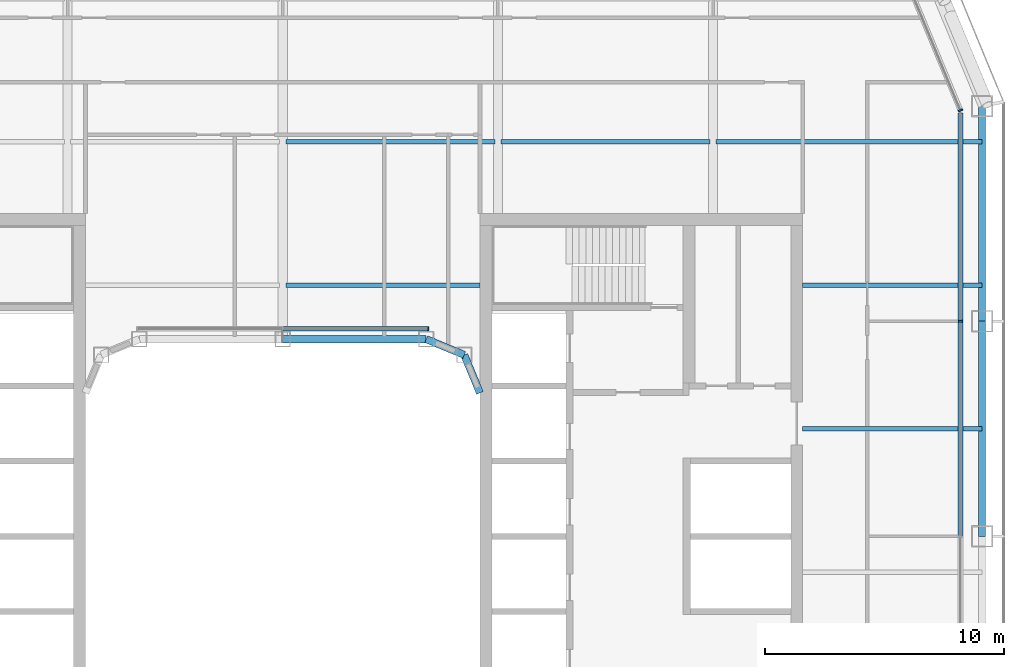
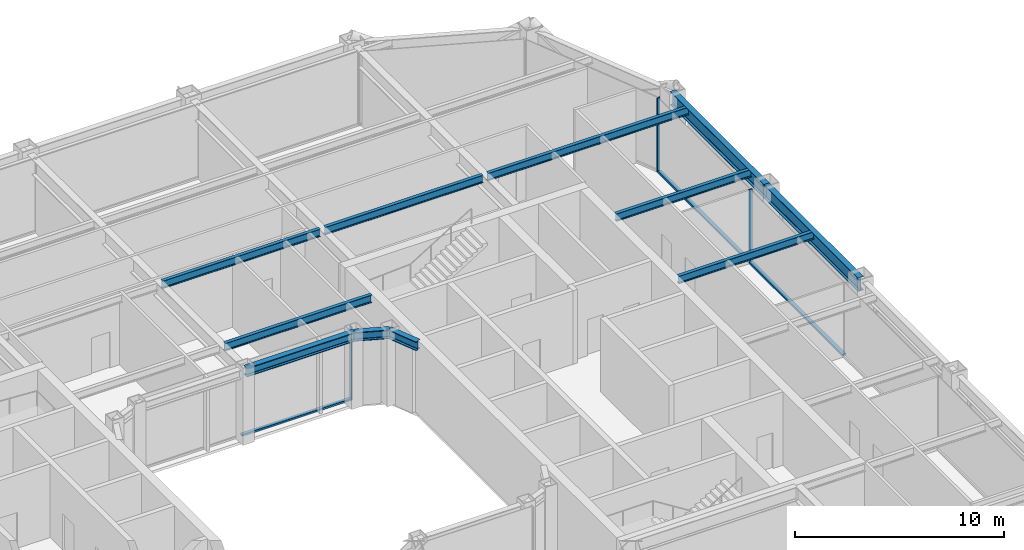
# One storey, part 8 of 21: 11 beams, 6 members, 3 elements without a shape of their own.
"""IFC4 building model written with IfcOpenShell, lengths in metres."""

from ifc_helpers import new_model, si_unit, direction, frame, origin, origin_2d, place, context, subcontext, project, spatial, rectangle, i_section, extrude, material, layer, layer_set, material_profile, profile_set, type_object, element, aggregate, save


model = new_model("IFC4")

# Units and contexts
model_context = context("Model", 3, precision=1e-05, world=origin(), true_north=direction((0.0, 1.0)))
body_context = subcontext(model_context, "Body", "Model", "MODEL_VIEW")
ifc_project = project(units=[si_unit("LENGTHUNIT", "METRE"), si_unit("AREAUNIT", "SQUARE_METRE"), si_unit("VOLUMEUNIT", "CUBIC_METRE"), si_unit("PLANEANGLEUNIT", "RADIAN"), si_unit("MASSUNIT", "GRAM", prefix="KILO")], contexts=[model_context])

# Site, building, storey
site_placement = place(None, origin())
site = spatial("IfcSite", under=ifc_project, at=site_placement, CompositionType="ELEMENT")
building_placement = place(site_placement, origin())
building = spatial("IfcBuilding", under=site, at=building_placement, Name="Siwar Civic Tower", CompositionType="ELEMENT")
storey_placement = place(building_placement, frame((0.0, 0.0, 176.699951171875)))
storey = spatial("IfcBuildingStorey", under=building, at=storey_placement, Name="L38", CompositionType="ELEMENT", Elevation=176.699951171875)

# Curtain wall, member
ifc_material_1 = material(Name="Aluminium and glass", Category="aluminium")
ifc_layer_1 = layer(ifc_material_1, 0.199951171875)
ifc_layer_set_1 = layer_set([ifc_layer_1], Name="Aluminium and glass")
curtain_wall_type_1 = type_object("IfcCurtainWallType", Name="ENV-CW-B", PredefinedType="NOTDEFINED", material=ifc_layer_set_1)
curtain_wall_1_placement = place(storey_placement, origin())
curtain_wall_1 = element("IfcCurtainWall", 1, at=curtain_wall_1_placement, inside=storey, type_object=curtain_wall_type_1, Name="Curtain wall B E", PredefinedType="NOTDEFINED")
ifc_material_2 = material(Name="Aluminium 6063-T6", Category="aluminium")
ifc_material_profile_1 = material_profile(ifc_material_2, rectangle(XDim=0.199951171875, YDim=0.06494140625, at=origin_2d()), Name="AL 200x65")
ifc_profile_set_1 = profile_set([ifc_material_profile_1], Name="Aluminium 6063-T6")
member_type_1 = type_object("IfcMemberType", Name="ENV-MULLION-B", PredefinedType="MULLION", material=ifc_profile_set_1)
member_1_placement = place(storey_placement, frame((28.35009765625, 9.0, 0.0), z_axis=(0.0, 0.0, 1.0), x_axis=(-1.0, 0.0, 0.0)))
member_1 = element("IfcMember", 2, at=member_1_placement, type_object=member_type_1, Name="Mullion B E 4", PredefinedType="MULLION", context=body_context, shape_type="SweptSolid", body=[
    extrude(rectangle(XDim=0.199951171875, YDim=0.06494140625, at=origin_2d()), origin(), (0.0, 0.0, 1.0), 4.300048828125),
])

ifc_material_3 = material(Name="Aluminium clad insulated panel", Category="aluminium")
ifc_layer_2 = layer(ifc_material_3, 0.199951171875)
ifc_layer_set_2 = layer_set([ifc_layer_2], Name="Aluminium clad insulated panel")
curtain_wall_type_2 = type_object("IfcCurtainWallType", Name="ENV-CW-BX", PredefinedType="NOTDEFINED", material=ifc_layer_set_2)
curtain_wall_2_placement = place(storey_placement, origin())
curtain_wall_2 = element("IfcCurtainWall", 3, at=curtain_wall_2_placement, inside=storey, type_object=curtain_wall_type_2, Name="Curtain wall B NE1", PredefinedType="NOTDEFINED")
member_2_placement = place(storey_placement, frame((28.35009765625, 17.821044921875, 0.0), z_axis=(0.0, 0.0, 1.0), x_axis=(-0.923879532511, -0.382683432365, 0.0)))
member_2 = element("IfcMember", 4, at=member_2_placement, type_object=member_type_1, Name="Mullion B NE1 1", PredefinedType="MULLION", context=body_context, shape_type="SweptSolid", body=[
    extrude(rectangle(XDim=0.199951171875, YDim=0.06494140625, at=origin_2d()), origin(), (0.0, 0.0, 1.0), 4.300048828125),
])
aggregate(curtain_wall_2, [member_2])

ifc_material_4 = material(Name="Aluminium and glass", Category="aluminium")
ifc_layer_3 = layer(ifc_material_4, 0.179931640625)
ifc_layer_set_3 = layer_set([ifc_layer_3], Name="Aluminium and glass")
curtain_wall_type_3 = type_object("IfcCurtainWallType", Name="ENV-CW-W", PredefinedType="NOTDEFINED", material=ifc_layer_set_3)
curtain_wall_3_placement = place(storey_placement, origin())
curtain_wall_3 = element("IfcCurtainWall", 5, at=curtain_wall_3_placement, inside=storey, type_object=curtain_wall_type_3, Name="Curtain wall W WN", PredefinedType="NOTDEFINED")
ifc_material_5 = material(Name="Aluminium 6063-T6", Category="aluminium")
ifc_material_profile_2 = material_profile(ifc_material_5, rectangle(XDim=0.179931640625, YDim=0.06005859375, at=origin_2d()), Name="AL 180x60")
ifc_profile_set_2 = profile_set([ifc_material_profile_2], Name="Aluminium 6063-T6")
member_type_2 = type_object("IfcMemberType", Name="ENV-MULLION-W", PredefinedType="MULLION", material=ifc_profile_set_2)
member_3_placement = place(storey_placement, frame((6.08642578125, 8.68505859375, 0.0), z_axis=(0.0, 0.0, 1.0), x_axis=(0.0, -1.0, 0.0)))
member_3 = element("IfcMember", 6, at=member_3_placement, type_object=member_type_2, Name="Mullion W WN 1", PredefinedType="MULLION", context=body_context, shape_type="SweptSolid", body=[
    extrude(rectangle(XDim=0.179931640625, YDim=0.06005859375, at=origin_2d()), origin(), (0.0, 0.0, 1.0), 4.300048828125),
])

# Member
ifc_material_6 = material(Name="Aluminium 6063-T6", Category="aluminium")
ifc_material_profile_3 = material_profile(ifc_material_6, rectangle(XDim=0.199951171875, YDim=0.110107421875, at=origin_2d()), Name="AL 200x110")
ifc_profile_set_3 = profile_set([ifc_material_profile_3], Name="Aluminium 6063-T6")
member_type_3 = type_object("IfcMemberType", Name="ENV-TRANSOM-B", PredefinedType="USERDEFINED", material=ifc_profile_set_3)
member_4_placement = place(storey_placement, frame((28.35009765625, 0.032470703125, 0.054931640625), z_axis=(0.0, 1.0, 0.0), x_axis=(-1.0, 0.0, 0.0)))
member_4 = element("IfcMember", 7, at=member_4_placement, type_object=member_type_3, Name="Transom B E 3", ObjectType="TRANSOM", PredefinedType="USERDEFINED", context=body_context, shape_type="SweptSolid", body=[
    extrude(rectangle(XDim=0.199951171875, YDim=0.110107421875, at=origin_2d()), origin(), (0.0, 0.0, 1.0), 8.93505859375),
])

member_5_placement = place(storey_placement, frame((28.35009765625, 9.032470703125, 0.054931640625), z_axis=(0.0, 1.0, 0.0), x_axis=(-1.0, 0.0, 0.0)))
member_5 = element("IfcMember", 8, at=member_5_placement, type_object=member_type_3, Name="Transom B E 4", ObjectType="TRANSOM", PredefinedType="USERDEFINED", context=body_context, shape_type="SweptSolid", body=[
    extrude(rectangle(XDim=0.199951171875, YDim=0.110107421875, at=origin_2d()), origin(), (0.0, 0.0, 1.0), 8.6748046875),
])

aggregate(curtain_wall_1, [member_1, member_4, member_5])

ifc_material_7 = material(Name="Aluminium 6063-T6", Category="aluminium")
ifc_material_profile_4 = material_profile(ifc_material_7, rectangle(XDim=0.179931640625, YDim=0.10009765625, at=origin_2d()), Name="AL 180x100")
ifc_profile_set_4 = profile_set([ifc_material_profile_4], Name="Aluminium 6063-T6")
member_type_4 = type_object("IfcMemberType", Name="ENV-TRANSOM-W", PredefinedType="USERDEFINED", material=ifc_profile_set_4)
member_6_placement = place(storey_placement, frame((6.056640625, 8.68505859375, 0.050048828125), z_axis=(-1.0, 0.0, 0.0), x_axis=(0.0, -1.0, 0.0)))
member_6 = element("IfcMember", 9, at=member_6_placement, type_object=member_type_4, Name="Transom W WN 1", ObjectType="TRANSOM", PredefinedType="USERDEFINED", context=body_context, shape_type="SweptSolid", body=[
    extrude(rectangle(XDim=0.179931640625, YDim=0.10009765625, at=origin_2d()), origin(), (0.0, 0.0, 1.0), 6.026611328125),
])

aggregate(curtain_wall_3, [member_3, member_6])

# Beams
ifc_material_8 = material(Name="Steel S355", Category="steel")
ifc_material_profile_5 = material_profile(ifc_material_8, i_section(OverallWidth=0.18994140625, OverallDepth=0.449951171875, WebThickness=0.009521484375, FlangeThickness=0.0146484375, FilletRadius=0.02099609375, at=origin_2d()), Name="IPE450")
ifc_profile_set_5 = profile_set([ifc_material_profile_5], Name="Steel S355")
beam_type_1 = type_object("IfcBeamType", Name="STR-FB-IPE450", PredefinedType="JOIST", material=ifc_profile_set_5)
beam_1_placement = place(storey_placement, frame((21.75, 4.5, 4.074951171875), z_axis=(1.0, 0.0, 0.0), x_axis=(0.0, 1.0, 0.0)))
element("IfcBeam", 10, at=beam_1_placement, inside=storey, type_object=beam_type_1, Name="L38/bm/F026", PredefinedType="JOIST", context=body_context, shape_type="SweptSolid", body=[
    extrude(i_section(OverallWidth=0.18994140625, OverallDepth=0.449951171875, WebThickness=0.009521484375, FlangeThickness=0.0146484375, FilletRadius=0.02099609375, at=origin_2d()), origin(), (0.0, 0.0, 1.0), 7.5),
])
beam_2_placement = place(storey_placement, frame((0.1298828125, 10.5, 4.074951171875), z_axis=(1.0, 0.0, 0.0), x_axis=(0.0, 1.0, 0.0)))
element("IfcBeam", 11, at=beam_2_placement, inside=storey, type_object=beam_type_1, Name="L38/bm/F029", PredefinedType="JOIST", context=body_context, shape_type="SweptSolid", body=[
    extrude(i_section(OverallWidth=0.18994140625, OverallDepth=0.449951171875, WebThickness=0.009521484375, FlangeThickness=0.0146484375, FilletRadius=0.02099609375, at=origin_2d()), origin(), (0.0, 0.0, 1.0), 8.1201171875),
])
beam_3_placement = place(storey_placement, frame((21.75, 10.5, 4.074951171875), z_axis=(1.0, 0.0, 0.0), x_axis=(0.0, 1.0, 0.0)))
element("IfcBeam", 12, at=beam_3_placement, inside=storey, type_object=beam_type_1, Name="L38/bm/F030", PredefinedType="JOIST", context=body_context, shape_type="SweptSolid", body=[
    extrude(i_section(OverallWidth=0.18994140625, OverallDepth=0.449951171875, WebThickness=0.009521484375, FlangeThickness=0.0146484375, FilletRadius=0.02099609375, at=origin_2d()), origin(), (0.0, 0.0, 1.0), 7.5),
])
for number, where, z_axis, x_axis, name in (
    (13, (0.1298828125, 16.5, 4.074951171875), (1.0, 0.0, 0.0), (0.0, 1.0, 0.0), "L38/bm/F034"),
    (14, (9.1298828125, 16.5, 4.074951171875), (1.0, 0.0, 0.0), (0.0, 1.0, 0.0), "L38/bm/F035"),
):
    element("IfcBeam", number, at=place(storey_placement, frame(where, z_axis=z_axis, x_axis=x_axis)), inside=storey, type_object=beam_type_1, Name=name, PredefinedType="JOIST", context=body_context, shape_type="SweptSolid", body=[
        extrude(i_section(OverallWidth=0.18994140625, OverallDepth=0.449951171875, WebThickness=0.009521484375, FlangeThickness=0.0146484375, FilletRadius=0.02099609375, at=origin_2d()), origin(), (0.0, 0.0, 1.0), 8.740234375),
    ])
beam_4_placement = place(storey_placement, frame((18.1298828125, 16.5, 4.074951171875), z_axis=(1.0, 0.0, 0.0), x_axis=(0.0, 1.0, 0.0)))
element("IfcBeam", 15, at=beam_4_placement, inside=storey, type_object=beam_type_1, Name="L38/bm/F036", PredefinedType="JOIST", context=body_context, shape_type="SweptSolid", body=[
    extrude(i_section(OverallWidth=0.18994140625, OverallDepth=0.449951171875, WebThickness=0.009521484375, FlangeThickness=0.0146484375, FilletRadius=0.02099609375, at=origin_2d()), origin(), (0.0, 0.0, 1.0), 11.1201171875),
])
ifc_material_9 = material(Name="Steel S355", Category="steel")
ifc_material_profile_6 = material_profile(ifc_material_9, i_section(OverallWidth=0.305908203125, OverallDepth=0.52392578125, WebThickness=0.02099609375, FlangeThickness=0.0400390625, FilletRadius=0.027099609375, at=origin_2d()), Name="HEM500")
ifc_profile_set_6 = profile_set([ifc_material_profile_6], Name="Steel S355")
beam_type_2 = type_object("IfcBeamType", Name="STR-RB-HEM500", PredefinedType="BEAM", material=ifc_profile_set_6)
beam_5_placement = place(storey_placement, frame((0.0, 8.25, 4.0380859375), z_axis=(1.0, 0.0, 0.0), x_axis=(0.0, 1.0, 0.0)))
element("IfcBeam", 16, at=beam_5_placement, inside=storey, type_object=beam_type_2, Name="L38/bm/RN2", PredefinedType="BEAM", context=body_context, shape_type="SweptSolid", body=[
    extrude(i_section(OverallWidth=0.305908203125, OverallDepth=0.52392578125, WebThickness=0.02099609375, FlangeThickness=0.0400390625, FilletRadius=0.027099609375, at=origin_2d()), origin(), (0.0, 0.0, 1.0), 6.0),
])
for number, where, z_axis, x_axis, name in (
    (17, (6.0, 8.25, 4.0380859375), (0.923901072997, -0.382631424892, 0.0), (0.382631424892, 0.923901072997, 0.0), "L38/bm/RN3"),
    (18, (7.591064453125, 7.591064453125, 4.0380859375), (0.382631424892, -0.923901072997, 0.0), (0.923901072997, 0.382631424892, 0.0), "L38/bm/RNEE"),
):
    element("IfcBeam", number, at=place(storey_placement, frame(where, z_axis=z_axis, x_axis=x_axis)), inside=storey, type_object=beam_type_2, Name=name, PredefinedType="BEAM", context=body_context, shape_type="SweptSolid", body=[
        extrude(i_section(OverallWidth=0.305908203125, OverallDepth=0.52392578125, WebThickness=0.02099609375, FlangeThickness=0.0400390625, FilletRadius=0.027099609375, at=origin_2d()), origin(), (0.0, 0.0, 1.0), 1.72216796875),
    ])
ifc_material_10 = material(Name="Steel S355", Category="steel")
ifc_material_profile_7 = material_profile(ifc_material_10, i_section(OverallWidth=0.300048828125, OverallDepth=0.800048828125, WebThickness=0.017578125, FlangeThickness=0.032958984375, FilletRadius=0.030029296875, at=origin_2d()), Name="HEB800")
ifc_profile_set_7 = profile_set([ifc_material_profile_7], Name="Steel S355")
beam_type_3 = type_object("IfcBeamType", Name="STR-SB-HEB800", PredefinedType="BEAM", material=ifc_profile_set_7)
for number, where, z_axis, x_axis, name in (
    (19, (29.25, 0.0, 3.900146484375), (0.0, 1.0, 0.0), (-1.0, 0.0, 0.0), "L38/bm/SE-2"),
    (20, (29.25, 9.0, 3.900146484375), (0.0, 1.0, 0.0), (-1.0, 0.0, 0.0), "L38/bm/SE-3"),
):
    element("IfcBeam", number, at=place(storey_placement, frame(where, z_axis=z_axis, x_axis=x_axis)), inside=storey, type_object=beam_type_3, Name=name, PredefinedType="BEAM", context=body_context, shape_type="SweptSolid", body=[
        extrude(i_section(OverallWidth=0.300048828125, OverallDepth=0.800048828125, WebThickness=0.017578125, FlangeThickness=0.032958984375, FilletRadius=0.030029296875, at=origin_2d()), origin(), (0.0, 0.0, 1.0), 9.0),
    ])

save(model, "model.ifc")
